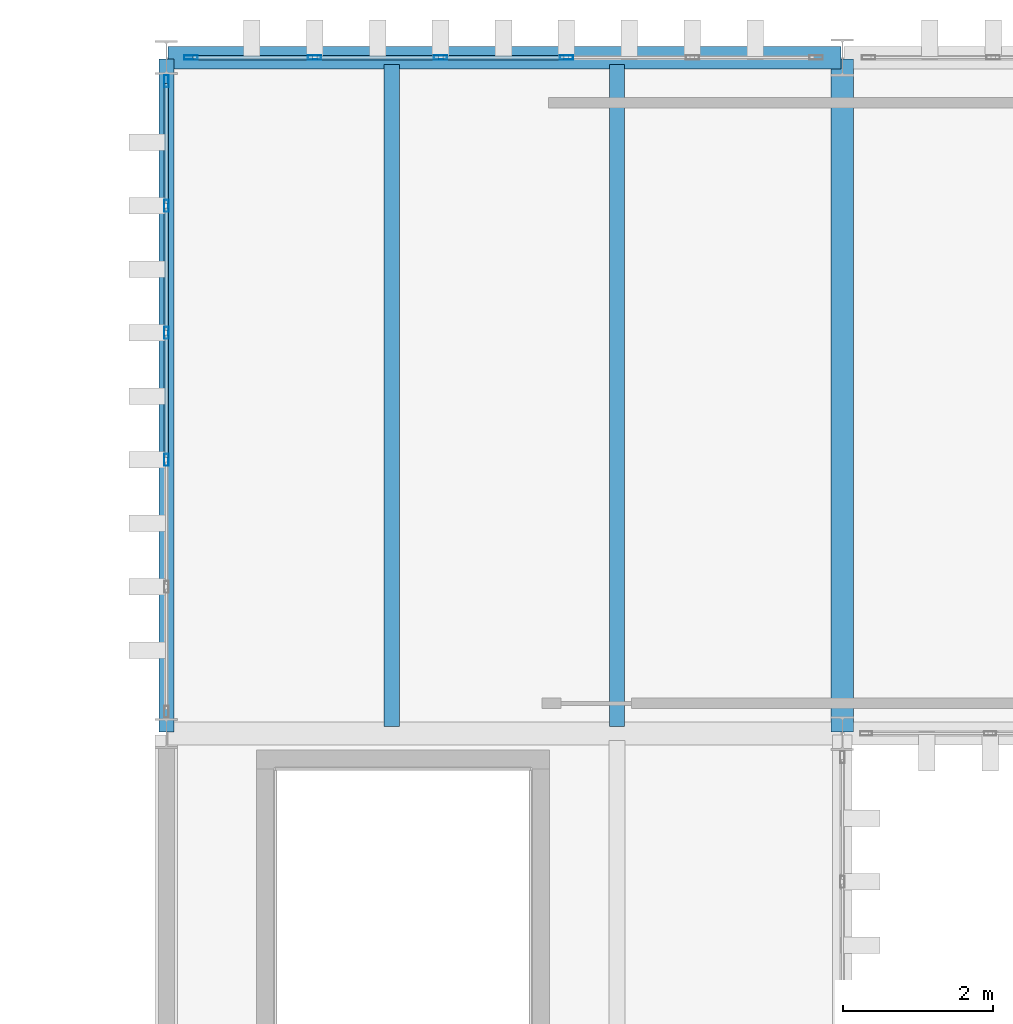
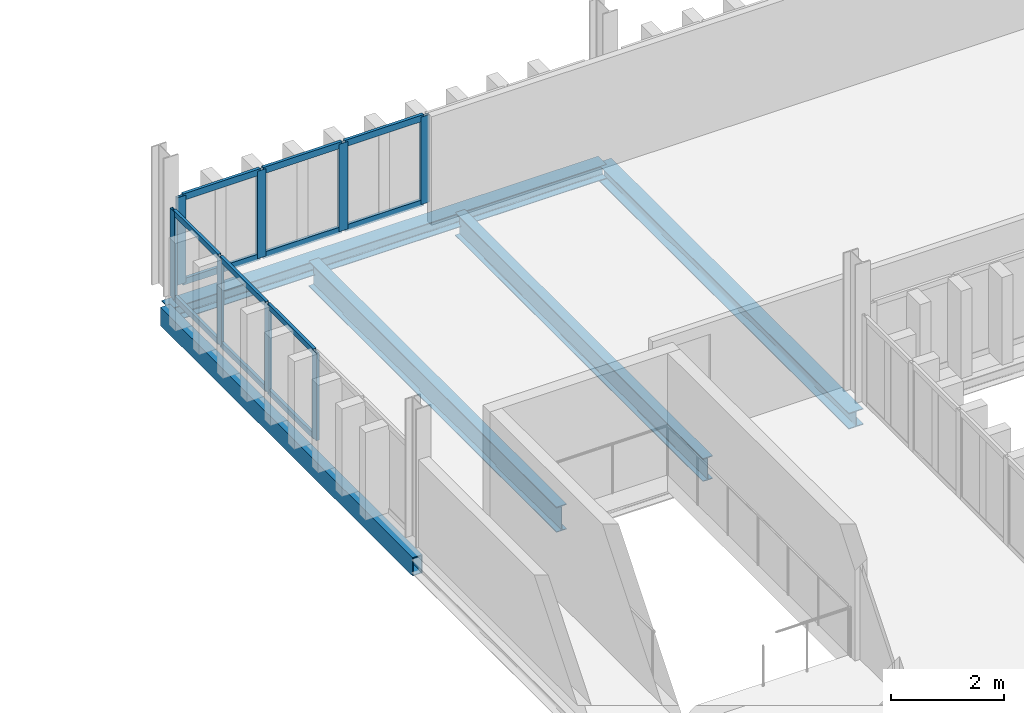
# One storey, part 37 of 58: 20 members, 5 beams, 2 elements without a shape of their own.
"""IFC4 building model written with IfcOpenShell, lengths in metres."""

from ifc_helpers import new_model, si_unit, direction, frame, origin, origin_2d, place, context, subcontext, project, spatial, hollow_rectangle, i_section, extrude, material, layer, layer_set, material_profile, profile_set, type_object, element, aggregate, save


model = new_model("IFC4")

# Units and contexts
model_context = context("Model", 3, precision=1e-05, world=origin(), true_north=direction((0.0, 1.0)))
body_context = subcontext(model_context, "Body", "Model", "MODEL_VIEW")
ifc_project = project(units=[si_unit("LENGTHUNIT", "METRE"), si_unit("AREAUNIT", "SQUARE_METRE"), si_unit("VOLUMEUNIT", "CUBIC_METRE"), si_unit("PLANEANGLEUNIT", "RADIAN"), si_unit("MASSUNIT", "GRAM", prefix="KILO")], contexts=[model_context])

# Site, building, storey
site_placement = place(None, origin())
site = spatial("IfcSite", under=ifc_project, at=site_placement, CompositionType="ELEMENT")
building_placement = place(site_placement, origin())
building = spatial("IfcBuilding", under=site, at=building_placement, Name="Barlavento Convention Centre", CompositionType="ELEMENT")
storey_placement = place(building_placement, frame((0.0, 0.0, 26.800048828125)))
storey = spatial("IfcBuildingStorey", under=building, at=storey_placement, Name="L05", CompositionType="ELEMENT", Elevation=26.800048828125)

# Curtain wall, members
ifc_material_1 = material(Name="Powder-coated aluminium and Low-E glass", Category="aluminium")
ifc_layer = layer(ifc_material_1, 0.18994140625)
ifc_layer_set = layer_set([ifc_layer], Name="ARC-CW-CONF-L05")
curtain_wall_type = type_object("IfcCurtainWallType", Name="ARC-CW-CONF-L05", PredefinedType="NOTDEFINED", material=ifc_layer_set)
curtain_wall_1_placement = place(storey_placement, origin())
curtain_wall_1 = element("IfcCurtainWall", 1, at=curtain_wall_1_placement, inside=storey, type_object=curtain_wall_type, Name="L05 unitised curtain wall CW10", PredefinedType="NOTDEFINED")
ifc_material_2 = material(Name="Powder-coated aluminium", Category="aluminium")
ifc_material_profile_1 = material_profile(ifc_material_2, hollow_rectangle(XDim=0.06005859375, YDim=0.159912109375, WallThickness=0.00390625, at=origin_2d()), Name="AL-MULL 60x160x4")
ifc_profile_set_1 = profile_set([ifc_material_profile_1], Name="Powder-coated aluminium")
member_type_1 = type_object("IfcMemberType", Name="ARC-CWM-60X160", PredefinedType="MULLION", material=ifc_profile_set_1)
member_1_placement = place(storey_placement, frame((126.0, 93.64208984375, 0.0), z_axis=(0.0, 0.0, 1.0), x_axis=(-1.0, 0.0, 0.0)))
member_1 = element("IfcMember", 2, at=member_1_placement, type_object=member_type_1, Name="CW10 mullion 3", PredefinedType="MULLION", context=body_context, shape_type="SweptSolid", body=[
    extrude(hollow_rectangle(XDim=0.06005859375, YDim=0.159912109375, WallThickness=0.00390625, at=origin_2d()), origin(), (0.0, 0.0, 1.0), 1.89990234375),
])
member_2_placement = place(storey_placement, frame((126.0, 95.3330078125, 0.0), z_axis=(0.0, 0.0, 1.0), x_axis=(-1.0, 0.0, 0.0)))
member_2 = element("IfcMember", 3, at=member_2_placement, type_object=member_type_1, Name="CW10 mullion 4", PredefinedType="MULLION", context=body_context, shape_type="SweptSolid", body=[
    extrude(hollow_rectangle(XDim=0.06005859375, YDim=0.159912109375, WallThickness=0.00390625, at=origin_2d()), origin(), (0.0, 0.0, 1.0), 1.89990234375),
])
member_3_placement = place(storey_placement, frame((126.0, 97.02392578125, 0.0), z_axis=(0.0, 0.0, 1.0), x_axis=(-1.0, 0.0, 0.0)))
member_3 = element("IfcMember", 4, at=member_3_placement, type_object=member_type_1, Name="CW10 mullion 5", PredefinedType="MULLION", context=body_context, shape_type="SweptSolid", body=[
    extrude(hollow_rectangle(XDim=0.06005859375, YDim=0.159912109375, WallThickness=0.00390625, at=origin_2d()), origin(), (0.0, 0.0, 1.0), 1.89990234375),
])
member_4_placement = place(storey_placement, frame((126.0, 98.68505859375, 0.0), z_axis=(0.0, 0.0, 1.0), x_axis=(-1.0, 0.0, 0.0)))
member_4 = element("IfcMember", 5, at=member_4_placement, type_object=member_type_1, Name="CW10 mullion 6", PredefinedType="MULLION", context=body_context, shape_type="SweptSolid", body=[
    extrude(hollow_rectangle(XDim=0.06005859375, YDim=0.159912109375, WallThickness=0.00390625, at=origin_2d()), origin(), (0.0, 0.0, 1.0), 1.89990234375),
])

curtain_wall_2_placement = place(storey_placement, origin())
curtain_wall_2 = element("IfcCurtainWall", 6, at=curtain_wall_2_placement, inside=storey, type_object=curtain_wall_type, Name="L05 unitised curtain wall CW10", PredefinedType="NOTDEFINED")
ifc_material_profile_2 = material_profile(ifc_material_2, hollow_rectangle(XDim=0.06005859375, YDim=0.179931640625, WallThickness=0.0048828125, at=origin_2d()), Name="AL-MULL 60x180x5")
ifc_profile_set_2 = profile_set([ifc_material_profile_2], Name="Powder-coated aluminium")
member_type_2 = type_object("IfcMemberType", Name="ARC-CWM-60X180", PredefinedType="MULLION", material=ifc_profile_set_2)
member_5_placement = place(storey_placement, frame((126.324951171875, 99.0, 0.0), z_axis=(0.0, 0.0, 1.0), x_axis=(0.0, 1.0, 0.0)))
member_5 = element("IfcMember", 7, at=member_5_placement, type_object=member_type_2, Name="CW10 mullion 1", PredefinedType="MULLION", context=body_context, shape_type="SweptSolid", body=[
    extrude(hollow_rectangle(XDim=0.06005859375, YDim=0.179931640625, WallThickness=0.0048828125, at=origin_2d()), origin(), (0.0, 0.0, 1.0), 1.89990234375),
])
member_6_placement = place(storey_placement, frame((127.971923828125, 99.0, 0.0), z_axis=(0.0, 0.0, 1.0), x_axis=(0.0, 1.0, 0.0)))
member_6 = element("IfcMember", 8, at=member_6_placement, type_object=member_type_2, Name="CW10 mullion 2", PredefinedType="MULLION", context=body_context, shape_type="SweptSolid", body=[
    extrude(hollow_rectangle(XDim=0.06005859375, YDim=0.179931640625, WallThickness=0.0048828125, at=origin_2d()), origin(), (0.0, 0.0, 1.0), 1.89990234375),
])
member_7_placement = place(storey_placement, frame((129.64892578125, 99.0, 0.0), z_axis=(0.0, 0.0, 1.0), x_axis=(0.0, 1.0, 0.0)))
member_7 = element("IfcMember", 9, at=member_7_placement, type_object=member_type_2, Name="CW10 mullion 3", PredefinedType="MULLION", context=body_context, shape_type="SweptSolid", body=[
    extrude(hollow_rectangle(XDim=0.06005859375, YDim=0.179931640625, WallThickness=0.0048828125, at=origin_2d()), origin(), (0.0, 0.0, 1.0), 1.89990234375),
])
member_8_placement = place(storey_placement, frame((131.325927734375, 99.0, 0.0), z_axis=(0.0, 0.0, 1.0), x_axis=(0.0, 1.0, 0.0)))
member_8 = element("IfcMember", 10, at=member_8_placement, type_object=member_type_2, Name="CW10 mullion 4", PredefinedType="MULLION", context=body_context, shape_type="SweptSolid", body=[
    extrude(hollow_rectangle(XDim=0.06005859375, YDim=0.179931640625, WallThickness=0.0048828125, at=origin_2d()), origin(), (0.0, 0.0, 1.0), 1.89990234375),
])

# Member
ifc_material_profile_3 = material_profile(ifc_material_2, hollow_rectangle(XDim=0.06005859375, YDim=0.1201171875, WallThickness=0.00390625, at=origin_2d()), Name="AL-TRAN 60x120x4")
ifc_profile_set_3 = profile_set([ifc_material_profile_3], Name="Powder-coated aluminium")
member_type_3 = type_object("IfcMemberType", Name="ARC-CWT-60X120", PredefinedType="USERDEFINED", material=ifc_profile_set_3)
member_9_placement = place(storey_placement, frame((126.0, 93.672119140625, 0.030029296875), z_axis=(0.0, 1.0, 0.0), x_axis=(-1.0, 0.0, 0.0)))
member_9 = element("IfcMember", 11, at=member_9_placement, type_object=member_type_3, Name="CW10 transom 3.1", ObjectType="TRANSOM", PredefinedType="USERDEFINED", context=body_context, shape_type="SweptSolid", body=[
    extrude(hollow_rectangle(XDim=0.06005859375, YDim=0.1201171875, WallThickness=0.00390625, at=origin_2d()), origin(), (0.0, 0.0, 1.0), 1.630859375),
])

member_10_placement = place(storey_placement, frame((126.0, 93.672119140625, 1.869873046875), z_axis=(0.0, 1.0, 0.0), x_axis=(-1.0, 0.0, 0.0)))
member_10 = element("IfcMember", 12, at=member_10_placement, type_object=member_type_3, Name="CW10 transom 3.2", ObjectType="TRANSOM", PredefinedType="USERDEFINED", context=body_context, shape_type="SweptSolid", body=[
    extrude(hollow_rectangle(XDim=0.06005859375, YDim=0.1201171875, WallThickness=0.00390625, at=origin_2d()), origin(), (0.0, 0.0, 1.0), 1.630859375),
])

member_11_placement = place(storey_placement, frame((126.0, 95.363037109375, 0.030029296875), z_axis=(0.0, 1.0, 0.0), x_axis=(-1.0, 0.0, 0.0)))
member_11 = element("IfcMember", 13, at=member_11_placement, type_object=member_type_3, Name="CW10 transom 4.1", ObjectType="TRANSOM", PredefinedType="USERDEFINED", context=body_context, shape_type="SweptSolid", body=[
    extrude(hollow_rectangle(XDim=0.06005859375, YDim=0.1201171875, WallThickness=0.00390625, at=origin_2d()), origin(), (0.0, 0.0, 1.0), 1.630859375),
])

member_12_placement = place(storey_placement, frame((126.0, 95.363037109375, 1.869873046875), z_axis=(0.0, 1.0, 0.0), x_axis=(-1.0, 0.0, 0.0)))
member_12 = element("IfcMember", 14, at=member_12_placement, type_object=member_type_3, Name="CW10 transom 4.2", ObjectType="TRANSOM", PredefinedType="USERDEFINED", context=body_context, shape_type="SweptSolid", body=[
    extrude(hollow_rectangle(XDim=0.06005859375, YDim=0.1201171875, WallThickness=0.00390625, at=origin_2d()), origin(), (0.0, 0.0, 1.0), 1.630859375),
])

member_13_placement = place(storey_placement, frame((126.0, 97.053955078125, 0.030029296875), z_axis=(0.0, 1.0, 0.0), x_axis=(-1.0, 0.0, 0.0)))
member_13 = element("IfcMember", 15, at=member_13_placement, type_object=member_type_3, Name="CW10 transom 5.1", ObjectType="TRANSOM", PredefinedType="USERDEFINED", context=body_context, shape_type="SweptSolid", body=[
    extrude(hollow_rectangle(XDim=0.06005859375, YDim=0.1201171875, WallThickness=0.00390625, at=origin_2d()), origin(), (0.0, 0.0, 1.0), 1.60107421875),
])

member_14_placement = place(storey_placement, frame((126.0, 97.053955078125, 1.869873046875), z_axis=(0.0, 1.0, 0.0), x_axis=(-1.0, 0.0, 0.0)))
member_14 = element("IfcMember", 16, at=member_14_placement, type_object=member_type_3, Name="CW10 transom 5.2", ObjectType="TRANSOM", PredefinedType="USERDEFINED", context=body_context, shape_type="SweptSolid", body=[
    extrude(hollow_rectangle(XDim=0.06005859375, YDim=0.1201171875, WallThickness=0.00390625, at=origin_2d()), origin(), (0.0, 0.0, 1.0), 1.60107421875),
])

aggregate(curtain_wall_1, [member_1, member_2, member_3, member_4, member_9, member_10, member_11, member_12, member_13, member_14])

ifc_material_profile_4 = material_profile(ifc_material_2, hollow_rectangle(XDim=0.06005859375, YDim=0.139892578125, WallThickness=0.00390625, at=origin_2d()), Name="AL-TRAN 60x140x4")
ifc_profile_set_4 = profile_set([ifc_material_profile_4], Name="Powder-coated aluminium")
member_type_4 = type_object("IfcMemberType", Name="ARC-CWT-60X140", PredefinedType="USERDEFINED", material=ifc_profile_set_4)
member_15_placement = place(storey_placement, frame((126.35498046875, 99.0, 0.030029296875), z_axis=(1.0, 0.0, 0.0), x_axis=(0.0, 1.0, 0.0)))
member_15 = element("IfcMember", 17, at=member_15_placement, type_object=member_type_4, Name="CW10 transom 1.1", ObjectType="TRANSOM", PredefinedType="USERDEFINED", context=body_context, shape_type="SweptSolid", body=[
    extrude(hollow_rectangle(XDim=0.06005859375, YDim=0.139892578125, WallThickness=0.00390625, at=origin_2d()), origin(), (0.0, 0.0, 1.0), 1.5869140625),
])

member_16_placement = place(storey_placement, frame((126.35498046875, 99.0, 1.869873046875), z_axis=(1.0, 0.0, 0.0), x_axis=(0.0, 1.0, 0.0)))
member_16 = element("IfcMember", 18, at=member_16_placement, type_object=member_type_4, Name="CW10 transom 1.2", ObjectType="TRANSOM", PredefinedType="USERDEFINED", context=body_context, shape_type="SweptSolid", body=[
    extrude(hollow_rectangle(XDim=0.06005859375, YDim=0.139892578125, WallThickness=0.00390625, at=origin_2d()), origin(), (0.0, 0.0, 1.0), 1.5869140625),
])

member_17_placement = place(storey_placement, frame((128.001953125, 99.0, 0.030029296875), z_axis=(1.0, 0.0, 0.0), x_axis=(0.0, 1.0, 0.0)))
member_17 = element("IfcMember", 19, at=member_17_placement, type_object=member_type_4, Name="CW10 transom 2.1", ObjectType="TRANSOM", PredefinedType="USERDEFINED", context=body_context, shape_type="SweptSolid", body=[
    extrude(hollow_rectangle(XDim=0.06005859375, YDim=0.139892578125, WallThickness=0.00390625, at=origin_2d()), origin(), (0.0, 0.0, 1.0), 1.616943359375),
])

member_18_placement = place(storey_placement, frame((128.001953125, 99.0, 1.869873046875), z_axis=(1.0, 0.0, 0.0), x_axis=(0.0, 1.0, 0.0)))
member_18 = element("IfcMember", 20, at=member_18_placement, type_object=member_type_4, Name="CW10 transom 2.2", ObjectType="TRANSOM", PredefinedType="USERDEFINED", context=body_context, shape_type="SweptSolid", body=[
    extrude(hollow_rectangle(XDim=0.06005859375, YDim=0.139892578125, WallThickness=0.00390625, at=origin_2d()), origin(), (0.0, 0.0, 1.0), 1.616943359375),
])

member_19_placement = place(storey_placement, frame((129.678955078125, 99.0, 0.030029296875), z_axis=(1.0, 0.0, 0.0), x_axis=(0.0, 1.0, 0.0)))
member_19 = element("IfcMember", 21, at=member_19_placement, type_object=member_type_4, Name="CW10 transom 3.1", ObjectType="TRANSOM", PredefinedType="USERDEFINED", context=body_context, shape_type="SweptSolid", body=[
    extrude(hollow_rectangle(XDim=0.06005859375, YDim=0.139892578125, WallThickness=0.00390625, at=origin_2d()), origin(), (0.0, 0.0, 1.0), 1.616943359375),
])

member_20_placement = place(storey_placement, frame((129.678955078125, 99.0, 1.869873046875), z_axis=(1.0, 0.0, 0.0), x_axis=(0.0, 1.0, 0.0)))
member_20 = element("IfcMember", 22, at=member_20_placement, type_object=member_type_4, Name="CW10 transom 3.2", ObjectType="TRANSOM", PredefinedType="USERDEFINED", context=body_context, shape_type="SweptSolid", body=[
    extrude(hollow_rectangle(XDim=0.06005859375, YDim=0.139892578125, WallThickness=0.00390625, at=origin_2d()), origin(), (0.0, 0.0, 1.0), 1.616943359375),
])

aggregate(curtain_wall_2, [member_5, member_6, member_7, member_8, member_15, member_16, member_17, member_18, member_19, member_20])

# Beams
ifc_material_3 = material(Name="Steel S355", Category="steel")
ifc_material_profile_5 = material_profile(ifc_material_3, i_section(OverallWidth=0.199951171875, OverallDepth=0.5, WebThickness=0.01025390625, FlangeThickness=0.01611328125, FilletRadius=0.02099609375, at=origin_2d()), Name="IPE 500")
ifc_profile_set_5 = profile_set([ifc_material_profile_5], Name="Steel S355")
beam_type_1 = type_object("IfcBeamType", Name="STR-BM-JST-IPE500", PredefinedType="JOIST", material=ifc_profile_set_5)
beam_1_placement = place(storey_placement, frame((132.0, 90.094970703125, -0.610107421875), z_axis=(0.0, 1.0, 0.0), x_axis=(-1.0, 0.0, 0.0)))
element("IfcBeam", 23, at=beam_1_placement, inside=storey, type_object=beam_type_1, Name="L05 composite floor joist SJ02", PredefinedType="JOIST", context=body_context, shape_type="SweptSolid", body=[
    extrude(i_section(OverallWidth=0.199951171875, OverallDepth=0.5, WebThickness=0.01025390625, FlangeThickness=0.01611328125, FilletRadius=0.02099609375, at=origin_2d()), origin(), (0.0, 0.0, 1.0), 8.81005859375),
])
ifc_material_profile_6 = material_profile(ifc_material_3, i_section(OverallWidth=0.2099609375, OverallDepth=0.550048828125, WebThickness=0.010986328125, FlangeThickness=0.01708984375, FilletRadius=0.02392578125, at=origin_2d()), Name="IPE 550")
ifc_profile_set_6 = profile_set([ifc_material_profile_6], Name="Steel S355")
beam_type_2 = type_object("IfcBeamType", Name="STR-BM-JST-IPE550", PredefinedType="JOIST", material=ifc_profile_set_6)
beam_2_placement = place(storey_placement, frame((129.0, 90.094970703125, -0.635009765625), z_axis=(0.0, 1.0, 0.0), x_axis=(-1.0, 0.0, 0.0)))
element("IfcBeam", 24, at=beam_2_placement, inside=storey, type_object=beam_type_2, Name="L05 composite floor joist SJ01", PredefinedType="JOIST", context=body_context, shape_type="SweptSolid", body=[
    extrude(i_section(OverallWidth=0.2099609375, OverallDepth=0.550048828125, WebThickness=0.010986328125, FlangeThickness=0.01708984375, FilletRadius=0.02392578125, at=origin_2d()), origin(), (0.0, 0.0, 1.0), 8.81005859375),
])
ifc_material_profile_7 = material_profile(ifc_material_3, i_section(OverallWidth=0.300048828125, OverallDepth=0.35009765625, WebThickness=0.010009765625, FlangeThickness=0.017578125, FilletRadius=0.027099609375, at=origin_2d()), Name="HEA 360")
ifc_profile_set_7 = profile_set([ifc_material_profile_7], Name="Steel S355")
beam_type_3 = type_object("IfcBeamType", Name="STR-BM-PRI-HEA360", PredefinedType="BEAM", material=ifc_profile_set_7)
beam_3_placement = place(storey_placement, frame((135.0, 90.02001953125, -0.53515625), z_axis=(0.0, 1.0, 0.0), x_axis=(-1.0, 0.0, 0.0)))
element("IfcBeam", 25, at=beam_3_placement, inside=storey, type_object=beam_type_3, Name="L05 grid girder BG23", PredefinedType="BEAM", context=body_context, shape_type="SweptSolid", body=[
    extrude(i_section(OverallWidth=0.300048828125, OverallDepth=0.35009765625, WebThickness=0.010009765625, FlangeThickness=0.017578125, FilletRadius=0.027099609375, at=origin_2d()), origin(), (0.0, 0.0, 1.0), 8.9599609375),
])
ifc_material_profile_8 = material_profile(ifc_material_3, i_section(OverallWidth=0.300048828125, OverallDepth=0.31005859375, WebThickness=0.009033203125, FlangeThickness=0.015380859375, FilletRadius=0.027099609375, at=origin_2d()), Name="HEA 320")
ifc_profile_set_8 = profile_set([ifc_material_profile_8], Name="Steel S355")
beam_type_4 = type_object("IfcBeamType", Name="STR-BM-SPN-HEA320", PredefinedType="SPANDREL", material=ifc_profile_set_8)
beam_4_placement = place(storey_placement, frame((126.02001953125, 99.0, -0.51513671875), z_axis=(1.0, 0.0, 0.0), x_axis=(0.0, 1.0, 0.0)))
element("IfcBeam", 26, at=beam_4_placement, inside=storey, type_object=beam_type_4, Name="L05 primary girder SP01", PredefinedType="SPANDREL", context=body_context, shape_type="SweptSolid", body=[
    extrude(i_section(OverallWidth=0.300048828125, OverallDepth=0.31005859375, WebThickness=0.009033203125, FlangeThickness=0.015380859375, FilletRadius=0.027099609375, at=origin_2d()), origin(), (0.0, 0.0, 1.0), 8.9599609375),
])
ifc_material_profile_9 = material_profile(ifc_material_3, hollow_rectangle(XDim=0.199951171875, YDim=0.39990234375, WallThickness=0.01611328125, at=origin_2d()), Name="RHS 400x200x16.0")
ifc_profile_set_9 = profile_set([ifc_material_profile_9], Name="Steel S355")
beam_type_5 = type_object("IfcBeamType", Name="STR-BM-SPN-RHS400", PredefinedType="SPANDREL", material=ifc_profile_set_9)
beam_5_placement = place(storey_placement, frame((126.0, 90.02001953125, -0.56005859375), z_axis=(0.0, 1.0, 0.0), x_axis=(-1.0, 0.0, 0.0)))
element("IfcBeam", 27, at=beam_5_placement, inside=storey, type_object=beam_type_5, Name="L05 grid girder SP06", PredefinedType="SPANDREL", context=body_context, shape_type="SweptSolid", body=[
    extrude(hollow_rectangle(XDim=0.199951171875, YDim=0.39990234375, WallThickness=0.01611328125, at=origin_2d()), origin(), (0.0, 0.0, 1.0), 8.9599609375),
])

save(model, "model.ifc")
